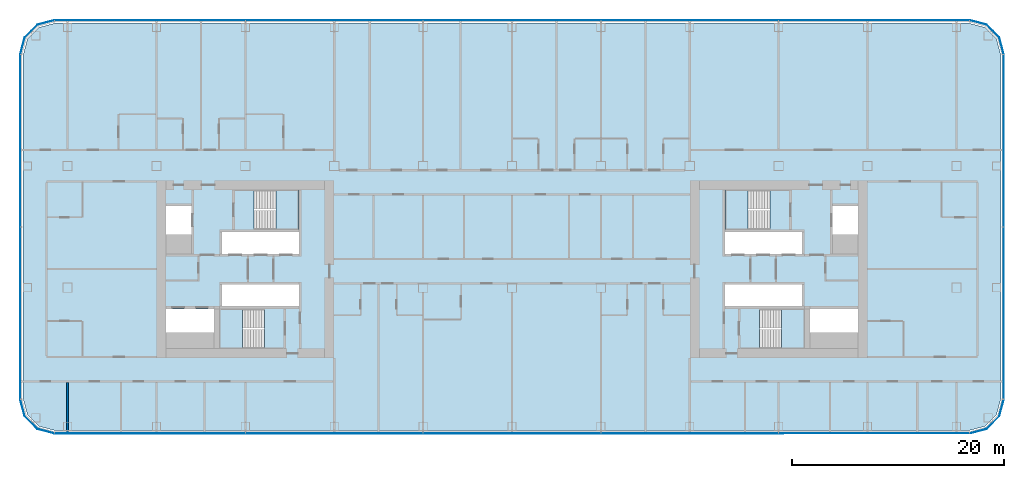
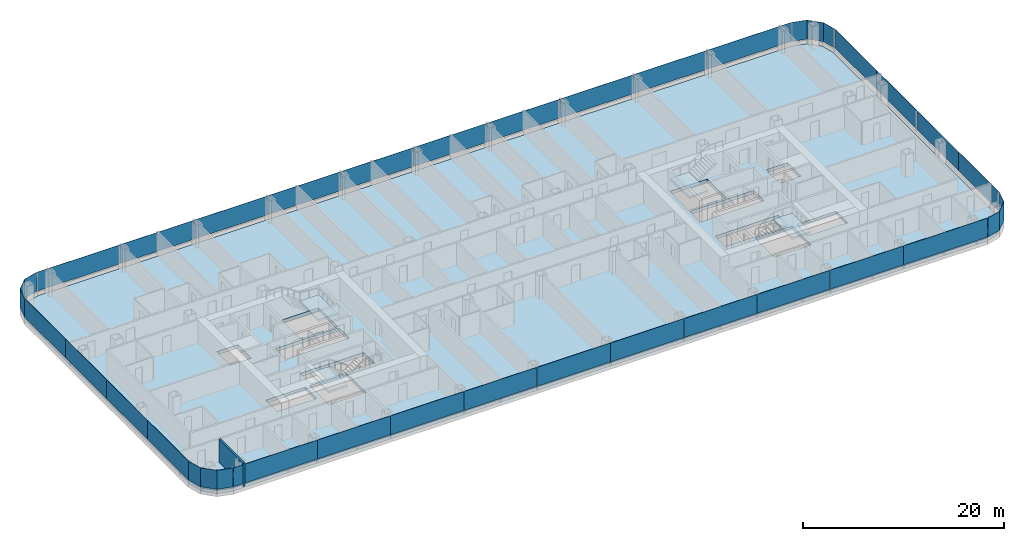
# One storey, part 14 of 29: 32 plates, 5 slabs, 1 wall, 12 elements without a shape of their own.
"""IFC4 building model written with IfcOpenShell, lengths in metres."""

from ifc_helpers import new_model, si_unit, direction, frame, frame_2d, origin, origin_2d, place, context, subcontext, project, spatial, polyline, rectangle, outline, extrude, material, layer, layer_set, type_object, element, aggregate, save


model = new_model("IFC4")

# Units and contexts
model_context = context("Model", 3, precision=1e-05, world=origin(), true_north=direction((0.0, 1.0)))
body_context = subcontext(model_context, "Body", "Model", "MODEL_VIEW")
ifc_project = project(units=[si_unit("LENGTHUNIT", "METRE"), si_unit("AREAUNIT", "SQUARE_METRE"), si_unit("VOLUMEUNIT", "CUBIC_METRE"), si_unit("PLANEANGLEUNIT", "RADIAN"), si_unit("MASSUNIT", "GRAM", prefix="KILO")], contexts=[model_context])

# Site, building, storey
site_placement = place(None, origin())
site = spatial("IfcSite", under=ifc_project, at=site_placement, CompositionType="ELEMENT")
building_placement = place(site_placement, origin())
building = spatial("IfcBuilding", under=site, at=building_placement, Name="Hakoniwa Tower and Hamabe Station Hall", CompositionType="ELEMENT")
storey_placement = place(building_placement, frame((0.0, 0.0, 78.60009765625)))
storey = spatial("IfcBuildingStorey", under=building, at=storey_placement, Name="L21", CompositionType="ELEMENT", Elevation=78.60009765625)

# Stair, slab
ifc_material_1 = material(Name="Concrete C40", Category="concrete")
stair_type = type_object("IfcStairType", Name="ESCAPE STAIR 1800", PredefinedType="HALF_TURN_STAIR", material=ifc_material_1)
stair_1_placement = place(storey_placement, origin())
stair_1 = element("IfcStair", 1, at=stair_1_placement, inside=storey, type_object=stair_type, Name="Escape stair ST-1 L21", PredefinedType="HALF_TURN_STAIR")
ifc_material_2 = material(Name="Concrete C40", Category="concrete")
ifc_layer_1 = layer(ifc_material_2, 0.25)
ifc_layer_set_1 = layer_set([ifc_layer_1], Name="CORE STAIR LANDING 250")
slab_type_1 = type_object("IfcSlabType", Name="CORE STAIR LANDING 250", PredefinedType="LANDING", material=ifc_layer_set_1)
slab_1_placement = place(storey_placement, frame((0.0, 0.0, 1.349853515625)))
slab_1 = element("IfcSlab", 2, at=slab_1_placement, type_object=slab_type_1, Name="ST-1 landing 1", PredefinedType="LANDING", context=body_context, shape_type="SweptSolid", body=[
    extrude(outline(polyline([(-22.320068359375, 3.75), (-20.14990234375, 3.75), (-20.14990234375, 7.5), (-22.320068359375, 7.5), (-22.320068359375, 3.75)])), origin(), (0.0, 0.0, 1.0), 0.25),
])
aggregate(stair_1, [slab_1])

stair_2_placement = place(storey_placement, origin())
stair_2 = element("IfcStair", 3, at=stair_2_placement, inside=storey, type_object=stair_type, Name="Escape stair ST-2 L21", PredefinedType="HALF_TURN_STAIR")
slab_2_placement = place(storey_placement, frame((0.0, 0.0, 1.349853515625)))
slab_2 = element("IfcSlab", 4, at=slab_2_placement, type_object=slab_type_1, Name="ST-2 landing 1", PredefinedType="LANDING", context=body_context, shape_type="SweptSolid", body=[
    extrude(outline(polyline([(-25.47998046875, -7.5), (-27.64990234375, -7.5), (-27.64990234375, -3.75), (-25.47998046875, -3.75), (-25.47998046875, -7.5)])), origin(), (0.0, 0.0, 1.0), 0.25),
])
aggregate(stair_2, [slab_2])

stair_3_placement = place(storey_placement, origin())
stair_3 = element("IfcStair", 5, at=stair_3_placement, inside=storey, type_object=stair_type, Name="Escape stair ST-3 L21", PredefinedType="HALF_TURN_STAIR")
slab_3_placement = place(storey_placement, frame((0.0, 0.0, 1.349853515625)))
slab_3 = element("IfcSlab", 6, at=slab_3_placement, type_object=slab_type_1, Name="ST-3 landing 1", PredefinedType="LANDING", context=body_context, shape_type="SweptSolid", body=[
    extrude(outline(polyline([(22.320068359375, 3.75), (20.14990234375, 3.75), (20.14990234375, 7.5), (22.320068359375, 7.5), (22.320068359375, 3.75)])), origin(), (0.0, 0.0, 1.0), 0.25),
])
aggregate(stair_3, [slab_3])

stair_4_placement = place(storey_placement, origin())
stair_4 = element("IfcStair", 7, at=stair_4_placement, inside=storey, type_object=stair_type, Name="Escape stair ST-4 L21", PredefinedType="HALF_TURN_STAIR")
slab_4_placement = place(storey_placement, frame((0.0, 0.0, 1.349853515625)))
slab_4 = element("IfcSlab", 8, at=slab_4_placement, type_object=slab_type_1, Name="ST-4 landing 1", PredefinedType="LANDING", context=body_context, shape_type="SweptSolid", body=[
    extrude(outline(polyline([(25.47998046875, -7.5), (27.64990234375, -7.5), (27.64990234375, -3.75), (25.47998046875, -3.75), (25.47998046875, -7.5)])), origin(), (0.0, 0.0, 1.0), 0.25),
])
aggregate(stair_4, [slab_4])

# Curtain wall, plates
ifc_material_3 = material(Name="Dark low-e laminated glass", Category="glass")
ifc_layer_2 = layer(ifc_material_3, 0.199951171875)
ifc_layer_set_2 = layer_set([ifc_layer_2], Name="CW-1 UNITISED GUEST")
curtain_wall_type = type_object("IfcCurtainWallType", Name="CW-1 UNITISED GUEST", PredefinedType="NOTDEFINED", material=ifc_layer_set_2)
curtain_wall_1_placement = place(storey_placement, origin())
curtain_wall_1 = element("IfcCurtainWall", 9, at=curtain_wall_1_placement, inside=storey, type_object=curtain_wall_type, Name="CW-1 curtain wall", PredefinedType="NOTDEFINED")
ifc_material_4 = material(Name="Dark low-e laminated glass", Category="glass")
ifc_layer_3 = layer(ifc_material_4, 0.028076171875)
ifc_layer_set_3 = layer_set([ifc_layer_3], Name="CW-1 GLASS UNIT")
plate_type = type_object("IfcPlateType", Name="CW-1 GLASS UNIT", PredefinedType="CURTAIN_PANEL", material=ifc_layer_set_3)
plate_1_placement = place(storey_placement, frame((46.486083984375, -8.217041015625, 0.35009765625), z_axis=(0.0, 0.0, 1.0), x_axis=(0.0, 1.0, 0.0)))
plate_1 = element("IfcPlate", 10, at=plate_1_placement, type_object=plate_type, Name="CW-1 glass unit", PredefinedType="CURTAIN_PANEL", context=body_context, shape_type="SweptSolid", body=[
    extrude(rectangle(XDim=8.124755859375, YDim=0.028076171875, at=origin_2d()), origin(), (0.0, 0.0, 1.0), 2.300048828125),
])
plate_2_placement = place(storey_placement, frame((46.486083984375, -0.072265625, 0.35009765625), z_axis=(0.0, 0.0, 1.0), x_axis=(0.0, 1.0, 0.0)))
plate_2 = element("IfcPlate", 11, at=plate_2_placement, type_object=plate_type, Name="CW-1 glass unit", PredefinedType="CURTAIN_PANEL", context=body_context, shape_type="SweptSolid", body=[
    extrude(rectangle(XDim=8.124755859375, YDim=0.028076171875, at=origin_2d()), origin(), (0.0, 0.0, 1.0), 2.300048828125),
])
plate_3_placement = place(storey_placement, frame((46.486083984375, 8.072265625, 0.35009765625), z_axis=(0.0, 0.0, 1.0), x_axis=(0.0, 1.0, 0.0)))
plate_3 = element("IfcPlate", 12, at=plate_3_placement, type_object=plate_type, Name="CW-1 glass unit", PredefinedType="CURTAIN_PANEL", context=body_context, shape_type="SweptSolid", body=[
    extrude(rectangle(XDim=8.124755859375, YDim=0.028076171875, at=origin_2d()), origin(), (0.0, 0.0, 1.0), 2.300048828125),
])
plate_4_placement = place(storey_placement, frame((46.486083984375, 16.217041015625, 0.35009765625), z_axis=(0.0, 0.0, 1.0), x_axis=(0.0, 1.0, 0.0)))
plate_4 = element("IfcPlate", 13, at=plate_4_placement, type_object=plate_type, Name="CW-1 glass unit", PredefinedType="CURTAIN_PANEL", context=body_context, shape_type="SweptSolid", body=[
    extrude(rectangle(XDim=8.124755859375, YDim=0.028076171875, at=origin_2d()), origin(), (0.0, 0.0, 1.0), 2.300048828125),
])
aggregate(curtain_wall_1, [plate_1, plate_2, plate_3, plate_4])

# Curtain wall, plate
curtain_wall_2_placement = place(storey_placement, origin())
curtain_wall_2 = element("IfcCurtainWall", 14, at=curtain_wall_2_placement, inside=storey, type_object=curtain_wall_type, Name="CW-1 curtain wall", PredefinedType="NOTDEFINED")
plate_5_placement = place(storey_placement, frame((0.0, 0.0, 0.349853515625)))
plate_5 = element("IfcPlate", 15, at=plate_5_placement, type_object=plate_type, Name="CW-1 curved corner unit", PredefinedType="CURTAIN_PANEL", context=body_context, shape_type="SweptSolid", body=[
    extrude(outline(polyline([(46.48974609375, 20.328125), (46.067138671875, 21.9052734375), (44.855224609375, 23.116943359375), (43.278076171875, 23.53955078125), (43.27099609375, 23.5126953125), (44.8408203125, 23.092041015625), (46.0419921875, 21.890869140625), (46.462646484375, 20.32080078125), (46.48974609375, 20.328125)])), origin(), (0.0, 0.0, 1.0), 2.300048828125),
])
aggregate(curtain_wall_2, [plate_5])

# Curtain wall, plates
curtain_wall_3_placement = place(storey_placement, origin())
curtain_wall_3 = element("IfcCurtainWall", 16, at=curtain_wall_3_placement, inside=storey, type_object=curtain_wall_type, Name="CW-1 curtain wall", PredefinedType="NOTDEFINED")
plate_6_placement = place(storey_placement, frame((38.419677734375, 23.535888671875, 0.35009765625), z_axis=(0.0, 0.0, 1.0), x_axis=(-1.0, 0.0, 0.0)))
plate_6 = element("IfcPlate", 17, at=plate_6_placement, type_object=plate_type, Name="CW-1 glass unit", PredefinedType="CURTAIN_PANEL", context=body_context, shape_type="SweptSolid", body=[
    extrude(rectangle(XDim=9.619384765625, YDim=0.028076171875, at=origin_2d()), origin(), (0.0, 0.0, 1.0), 2.300048828125),
])
plate_7_placement = place(storey_placement, frame((29.39990234375, 23.535888671875, 0.35009765625), z_axis=(0.0, 0.0, 1.0), x_axis=(-1.0, 0.0, 0.0)))
plate_7 = element("IfcPlate", 18, at=plate_7_placement, type_object=plate_type, Name="CW-1 glass unit", PredefinedType="CURTAIN_PANEL", context=body_context, shape_type="SweptSolid", body=[
    extrude(rectangle(XDim=8.3798828125, YDim=0.028076171875, at=origin_2d()), origin(), (0.0, 0.0, 1.0), 2.300048828125),
])
plate_8_placement = place(storey_placement, frame((21.0, 23.535888671875, 0.35009765625), z_axis=(0.0, 0.0, 1.0), x_axis=(-1.0, 0.0, 0.0)))
plate_8 = element("IfcPlate", 19, at=plate_8_placement, type_object=plate_type, Name="CW-1 glass unit", PredefinedType="CURTAIN_PANEL", context=body_context, shape_type="SweptSolid", body=[
    extrude(rectangle(XDim=8.3798828125, YDim=0.028076171875, at=origin_2d()), origin(), (0.0, 0.0, 1.0), 2.300048828125),
])
plate_9_placement = place(storey_placement, frame((12.60009765625, 23.535888671875, 0.35009765625), z_axis=(0.0, 0.0, 1.0), x_axis=(-1.0, 0.0, 0.0)))
plate_9 = element("IfcPlate", 20, at=plate_9_placement, type_object=plate_type, Name="CW-1 glass unit", PredefinedType="CURTAIN_PANEL", context=body_context, shape_type="SweptSolid", body=[
    extrude(rectangle(XDim=8.3798828125, YDim=0.028076171875, at=origin_2d()), origin(), (0.0, 0.0, 1.0), 2.300048828125),
])
plate_10_placement = place(storey_placement, frame((4.199951171875, 23.535888671875, 0.35009765625), z_axis=(0.0, 0.0, 1.0), x_axis=(-1.0, 0.0, 0.0)))
plate_10 = element("IfcPlate", 21, at=plate_10_placement, type_object=plate_type, Name="CW-1 glass unit", PredefinedType="CURTAIN_PANEL", context=body_context, shape_type="SweptSolid", body=[
    extrude(rectangle(XDim=8.3798828125, YDim=0.028076171875, at=origin_2d()), origin(), (0.0, 0.0, 1.0), 2.300048828125),
])
plate_11_placement = place(storey_placement, frame((-4.199951171875, 23.535888671875, 0.35009765625), z_axis=(0.0, 0.0, 1.0), x_axis=(-1.0, 0.0, 0.0)))
plate_11 = element("IfcPlate", 22, at=plate_11_placement, type_object=plate_type, Name="CW-1 glass unit", PredefinedType="CURTAIN_PANEL", context=body_context, shape_type="SweptSolid", body=[
    extrude(rectangle(XDim=8.3798828125, YDim=0.028076171875, at=origin_2d()), origin(), (0.0, 0.0, 1.0), 2.300048828125),
])
plate_12_placement = place(storey_placement, frame((-12.60009765625, 23.535888671875, 0.35009765625), z_axis=(0.0, 0.0, 1.0), x_axis=(-1.0, 0.0, 0.0)))
plate_12 = element("IfcPlate", 23, at=plate_12_placement, type_object=plate_type, Name="CW-1 glass unit", PredefinedType="CURTAIN_PANEL", context=body_context, shape_type="SweptSolid", body=[
    extrude(rectangle(XDim=8.3798828125, YDim=0.028076171875, at=origin_2d()), origin(), (0.0, 0.0, 1.0), 2.300048828125),
])
plate_13_placement = place(storey_placement, frame((-21.0, 23.535888671875, 0.35009765625), z_axis=(0.0, 0.0, 1.0), x_axis=(-1.0, 0.0, 0.0)))
plate_13 = element("IfcPlate", 24, at=plate_13_placement, type_object=plate_type, Name="CW-1 glass unit", PredefinedType="CURTAIN_PANEL", context=body_context, shape_type="SweptSolid", body=[
    extrude(rectangle(XDim=8.3798828125, YDim=0.028076171875, at=origin_2d()), origin(), (0.0, 0.0, 1.0), 2.300048828125),
])
plate_14_placement = place(storey_placement, frame((-29.39990234375, 23.535888671875, 0.35009765625), z_axis=(0.0, 0.0, 1.0), x_axis=(-1.0, 0.0, 0.0)))
plate_14 = element("IfcPlate", 25, at=plate_14_placement, type_object=plate_type, Name="CW-1 glass unit", PredefinedType="CURTAIN_PANEL", context=body_context, shape_type="SweptSolid", body=[
    extrude(rectangle(XDim=8.3798828125, YDim=0.028076171875, at=origin_2d()), origin(), (0.0, 0.0, 1.0), 2.300048828125),
])
plate_15_placement = place(storey_placement, frame((-38.419677734375, 23.535888671875, 0.35009765625), z_axis=(0.0, 0.0, 1.0), x_axis=(-1.0, 0.0, 0.0)))
plate_15 = element("IfcPlate", 26, at=plate_15_placement, type_object=plate_type, Name="CW-1 glass unit", PredefinedType="CURTAIN_PANEL", context=body_context, shape_type="SweptSolid", body=[
    extrude(rectangle(XDim=9.619384765625, YDim=0.028076171875, at=origin_2d()), origin(), (0.0, 0.0, 1.0), 2.300048828125),
])
aggregate(curtain_wall_3, [plate_6, plate_7, plate_8, plate_9, plate_10, plate_11, plate_12, plate_13, plate_14, plate_15])

# Curtain wall, plate
curtain_wall_4_placement = place(storey_placement, origin())
curtain_wall_4 = element("IfcCurtainWall", 27, at=curtain_wall_4_placement, inside=storey, type_object=curtain_wall_type, Name="CW-1 curtain wall", PredefinedType="NOTDEFINED")
plate_16_placement = place(storey_placement, frame((0.0, 0.0, 0.349853515625)))
plate_16 = element("IfcPlate", 28, at=plate_16_placement, type_object=plate_type, Name="CW-1 curved corner unit", PredefinedType="CURTAIN_PANEL", context=body_context, shape_type="SweptSolid", body=[
    extrude(outline(polyline([(-43.278076171875, 23.53955078125), (-44.855224609375, 23.116943359375), (-46.067138671875, 21.9052734375), (-46.48974609375, 20.328125), (-46.462646484375, 20.32080078125), (-46.0419921875, 21.890869140625), (-44.8408203125, 23.092041015625), (-43.27099609375, 23.5126953125), (-43.278076171875, 23.53955078125)])), origin(), (0.0, 0.0, 1.0), 2.300048828125),
])
aggregate(curtain_wall_4, [plate_16])

# Curtain wall, plates
curtain_wall_5_placement = place(storey_placement, origin())
curtain_wall_5 = element("IfcCurtainWall", 29, at=curtain_wall_5_placement, inside=storey, type_object=curtain_wall_type, Name="CW-1 curtain wall", PredefinedType="NOTDEFINED")
plate_17_placement = place(storey_placement, frame((-46.486083984375, 16.217041015625, 0.35009765625), z_axis=(0.0, 0.0, 1.0), x_axis=(0.0, -1.0, 0.0)))
plate_17 = element("IfcPlate", 30, at=plate_17_placement, type_object=plate_type, Name="CW-1 glass unit", PredefinedType="CURTAIN_PANEL", context=body_context, shape_type="SweptSolid", body=[
    extrude(rectangle(XDim=8.124755859375, YDim=0.028076171875, at=origin_2d()), origin(), (0.0, 0.0, 1.0), 2.300048828125),
])
plate_18_placement = place(storey_placement, frame((-46.486083984375, 8.072265625, 0.35009765625), z_axis=(0.0, 0.0, 1.0), x_axis=(0.0, -1.0, 0.0)))
plate_18 = element("IfcPlate", 31, at=plate_18_placement, type_object=plate_type, Name="CW-1 glass unit", PredefinedType="CURTAIN_PANEL", context=body_context, shape_type="SweptSolid", body=[
    extrude(rectangle(XDim=8.124755859375, YDim=0.028076171875, at=origin_2d()), origin(), (0.0, 0.0, 1.0), 2.300048828125),
])
plate_19_placement = place(storey_placement, frame((-46.486083984375, -0.072265625, 0.35009765625), z_axis=(0.0, 0.0, 1.0), x_axis=(0.0, -1.0, 0.0)))
plate_19 = element("IfcPlate", 32, at=plate_19_placement, type_object=plate_type, Name="CW-1 glass unit", PredefinedType="CURTAIN_PANEL", context=body_context, shape_type="SweptSolid", body=[
    extrude(rectangle(XDim=8.124755859375, YDim=0.028076171875, at=origin_2d()), origin(), (0.0, 0.0, 1.0), 2.300048828125),
])
plate_20_placement = place(storey_placement, frame((-46.486083984375, -8.217041015625, 0.35009765625), z_axis=(0.0, 0.0, 1.0), x_axis=(0.0, -1.0, 0.0)))
plate_20 = element("IfcPlate", 33, at=plate_20_placement, type_object=plate_type, Name="CW-1 glass unit", PredefinedType="CURTAIN_PANEL", context=body_context, shape_type="SweptSolid", body=[
    extrude(rectangle(XDim=8.124755859375, YDim=0.028076171875, at=origin_2d()), origin(), (0.0, 0.0, 1.0), 2.300048828125),
])
aggregate(curtain_wall_5, [plate_17, plate_18, plate_19, plate_20])

# Curtain wall, plate
curtain_wall_6_placement = place(storey_placement, origin())
curtain_wall_6 = element("IfcCurtainWall", 34, at=curtain_wall_6_placement, inside=storey, type_object=curtain_wall_type, Name="CW-1 curtain wall", PredefinedType="NOTDEFINED")
plate_21_placement = place(storey_placement, frame((0.0, 0.0, 0.349853515625)))
plate_21 = element("IfcPlate", 35, at=plate_21_placement, type_object=plate_type, Name="CW-1 curved corner unit", PredefinedType="CURTAIN_PANEL", context=body_context, shape_type="SweptSolid", body=[
    extrude(outline(polyline([(-46.48974609375, -12.328125), (-46.067138671875, -13.9052734375), (-44.855224609375, -15.116943359375), (-43.278076171875, -15.53955078125), (-43.27099609375, -15.5126953125), (-44.8408203125, -15.092041015625), (-46.0419921875, -13.890869140625), (-46.462646484375, -12.32080078125), (-46.48974609375, -12.328125)])), origin(), (0.0, 0.0, 1.0), 2.300048828125),
])
aggregate(curtain_wall_6, [plate_21])

# Curtain wall, plates
curtain_wall_7_placement = place(storey_placement, origin())
curtain_wall_7 = element("IfcCurtainWall", 36, at=curtain_wall_7_placement, inside=storey, type_object=curtain_wall_type, Name="CW-1 curtain wall", PredefinedType="NOTDEFINED")
plate_22_placement = place(storey_placement, frame((-38.419677734375, -15.535888671875, 0.35009765625), z_axis=(0.0, 0.0, 1.0), x_axis=(1.0, 0.0, 0.0)))
plate_22 = element("IfcPlate", 37, at=plate_22_placement, type_object=plate_type, Name="CW-1 glass unit", PredefinedType="CURTAIN_PANEL", context=body_context, shape_type="SweptSolid", body=[
    extrude(rectangle(XDim=9.619384765625, YDim=0.028076171875, at=origin_2d()), origin(), (0.0, 0.0, 1.0), 2.300048828125),
])
plate_23_placement = place(storey_placement, frame((-29.39990234375, -15.535888671875, 0.35009765625), z_axis=(0.0, 0.0, 1.0), x_axis=(1.0, 0.0, 0.0)))
plate_23 = element("IfcPlate", 38, at=plate_23_placement, type_object=plate_type, Name="CW-1 glass unit", PredefinedType="CURTAIN_PANEL", context=body_context, shape_type="SweptSolid", body=[
    extrude(rectangle(XDim=8.3798828125, YDim=0.028076171875, at=origin_2d()), origin(), (0.0, 0.0, 1.0), 2.300048828125),
])
plate_24_placement = place(storey_placement, frame((-21.0, -15.535888671875, 0.35009765625), z_axis=(0.0, 0.0, 1.0), x_axis=(1.0, 0.0, 0.0)))
plate_24 = element("IfcPlate", 39, at=plate_24_placement, type_object=plate_type, Name="CW-1 glass unit", PredefinedType="CURTAIN_PANEL", context=body_context, shape_type="SweptSolid", body=[
    extrude(rectangle(XDim=8.3798828125, YDim=0.028076171875, at=origin_2d()), origin(), (0.0, 0.0, 1.0), 2.300048828125),
])
plate_25_placement = place(storey_placement, frame((-12.60009765625, -15.535888671875, 0.35009765625), z_axis=(0.0, 0.0, 1.0), x_axis=(1.0, 0.0, 0.0)))
plate_25 = element("IfcPlate", 40, at=plate_25_placement, type_object=plate_type, Name="CW-1 glass unit", PredefinedType="CURTAIN_PANEL", context=body_context, shape_type="SweptSolid", body=[
    extrude(rectangle(XDim=8.3798828125, YDim=0.028076171875, at=origin_2d()), origin(), (0.0, 0.0, 1.0), 2.300048828125),
])
plate_26_placement = place(storey_placement, frame((-4.199951171875, -15.535888671875, 0.35009765625), z_axis=(0.0, 0.0, 1.0), x_axis=(1.0, 0.0, 0.0)))
plate_26 = element("IfcPlate", 41, at=plate_26_placement, type_object=plate_type, Name="CW-1 glass unit", PredefinedType="CURTAIN_PANEL", context=body_context, shape_type="SweptSolid", body=[
    extrude(rectangle(XDim=8.3798828125, YDim=0.028076171875, at=origin_2d()), origin(), (0.0, 0.0, 1.0), 2.300048828125),
])
plate_27_placement = place(storey_placement, frame((4.199951171875, -15.535888671875, 0.35009765625), z_axis=(0.0, 0.0, 1.0), x_axis=(1.0, 0.0, 0.0)))
plate_27 = element("IfcPlate", 42, at=plate_27_placement, type_object=plate_type, Name="CW-1 glass unit", PredefinedType="CURTAIN_PANEL", context=body_context, shape_type="SweptSolid", body=[
    extrude(rectangle(XDim=8.3798828125, YDim=0.028076171875, at=origin_2d()), origin(), (0.0, 0.0, 1.0), 2.300048828125),
])
plate_28_placement = place(storey_placement, frame((12.60009765625, -15.535888671875, 0.35009765625), z_axis=(0.0, 0.0, 1.0), x_axis=(1.0, 0.0, 0.0)))
plate_28 = element("IfcPlate", 43, at=plate_28_placement, type_object=plate_type, Name="CW-1 glass unit", PredefinedType="CURTAIN_PANEL", context=body_context, shape_type="SweptSolid", body=[
    extrude(rectangle(XDim=8.3798828125, YDim=0.028076171875, at=origin_2d()), origin(), (0.0, 0.0, 1.0), 2.300048828125),
])
plate_29_placement = place(storey_placement, frame((21.0, -15.535888671875, 0.35009765625), z_axis=(0.0, 0.0, 1.0), x_axis=(1.0, 0.0, 0.0)))
plate_29 = element("IfcPlate", 44, at=plate_29_placement, type_object=plate_type, Name="CW-1 glass unit", PredefinedType="CURTAIN_PANEL", context=body_context, shape_type="SweptSolid", body=[
    extrude(rectangle(XDim=8.3798828125, YDim=0.028076171875, at=origin_2d()), origin(), (0.0, 0.0, 1.0), 2.300048828125),
])
plate_30_placement = place(storey_placement, frame((29.39990234375, -15.535888671875, 0.35009765625), z_axis=(0.0, 0.0, 1.0), x_axis=(1.0, 0.0, 0.0)))
plate_30 = element("IfcPlate", 45, at=plate_30_placement, type_object=plate_type, Name="CW-1 glass unit", PredefinedType="CURTAIN_PANEL", context=body_context, shape_type="SweptSolid", body=[
    extrude(rectangle(XDim=8.3798828125, YDim=0.028076171875, at=origin_2d()), origin(), (0.0, 0.0, 1.0), 2.300048828125),
])
plate_31_placement = place(storey_placement, frame((38.419677734375, -15.535888671875, 0.35009765625), z_axis=(0.0, 0.0, 1.0), x_axis=(1.0, 0.0, 0.0)))
plate_31 = element("IfcPlate", 46, at=plate_31_placement, type_object=plate_type, Name="CW-1 glass unit", PredefinedType="CURTAIN_PANEL", context=body_context, shape_type="SweptSolid", body=[
    extrude(rectangle(XDim=9.619384765625, YDim=0.028076171875, at=origin_2d()), origin(), (0.0, 0.0, 1.0), 2.300048828125),
])
aggregate(curtain_wall_7, [plate_22, plate_23, plate_24, plate_25, plate_26, plate_27, plate_28, plate_29, plate_30, plate_31])

# Curtain wall, plate
curtain_wall_8_placement = place(storey_placement, origin())
curtain_wall_8 = element("IfcCurtainWall", 47, at=curtain_wall_8_placement, inside=storey, type_object=curtain_wall_type, Name="CW-1 curtain wall", PredefinedType="NOTDEFINED")
plate_32_placement = place(storey_placement, frame((0.0, 0.0, 0.349853515625)))
plate_32 = element("IfcPlate", 48, at=plate_32_placement, type_object=plate_type, Name="CW-1 curved corner unit", PredefinedType="CURTAIN_PANEL", context=body_context, shape_type="SweptSolid", body=[
    extrude(outline(polyline([(43.278076171875, -15.53955078125), (44.855224609375, -15.116943359375), (46.067138671875, -13.9052734375), (46.48974609375, -12.328125), (46.462646484375, -12.32080078125), (46.0419921875, -13.890869140625), (44.8408203125, -15.092041015625), (43.27099609375, -15.5126953125), (43.278076171875, -15.53955078125)])), origin(), (0.0, 0.0, 1.0), 2.300048828125),
])
aggregate(curtain_wall_8, [plate_32])

# Slab
ifc_material_5 = material(Name="Concrete C42", Category="concrete")
ifc_layer_4 = layer(ifc_material_5, 0.39990234375)
ifc_layer_set_4 = layer_set([ifc_layer_4], Name="PT FLAT PLATE 400")
slab_type_2 = type_object("IfcSlabType", Name="PT FLAT PLATE 400", PredefinedType="FLOOR", material=ifc_layer_set_4)
slab_5_placement = place(storey_placement, frame((0.0, 0.0, -0.400146484375)))
element("IfcSlab", 49, at=slab_5_placement, inside=storey, type_object=slab_type_2, Name="Floor slab L21", PredefinedType="FLOOR", context=body_context, shape_type="SweptSolid", body=[
    extrude(outline(polyline([(46.199951171875, -12.25), (46.199951171875, 20.25), (45.798095703125, 21.75), (44.699951171875, 22.84814453125), (43.199951171875, 23.25), (-43.199951171875, 23.25), (-44.699951171875, 22.84814453125), (-45.798095703125, 21.75), (-46.199951171875, 20.25), (-46.199951171875, -12.25), (-45.798095703125, -13.75), (-44.699951171875, -14.84814453125), (-43.199951171875, -15.25), (43.199951171875, -15.25), (44.699951171875, -14.84814453125), (45.798095703125, -13.75), (46.199951171875, -12.25)]), holes=[polyline([(-27.39990234375, 1.449951171875), (-27.39990234375, 3.5), (-20.14990234375, 3.5), (-20.14990234375, 1.449951171875), (-27.39990234375, 1.449951171875)]), polyline([(-27.39990234375, -3.5), (-27.39990234375, -1.449951171875), (-20.14990234375, -1.449951171875), (-20.14990234375, -3.5), (-27.39990234375, -3.5)]), polyline([(-32.699951171875, 3.300048828125), (-32.699951171875, 5.949951171875), (-30.300048828125, 5.949951171875), (-30.300048828125, 3.300048828125), (-32.699951171875, 3.300048828125)]), polyline([(-32.699951171875, -6.0), (-32.699951171875, -3.75), (-28.14990234375, -3.75), (-28.14990234375, -6.0), (-32.699951171875, -6.0)]), polyline([(-24.389892578125, 3.75), (-24.389892578125, 7.5), (-20.14990234375, 7.5), (-20.14990234375, 3.75), (-24.389892578125, 3.75)]), polyline([(-27.64990234375, -7.5), (-27.64990234375, -3.75), (-23.409912109375, -3.75), (-23.409912109375, -7.5), (-27.64990234375, -7.5)]), polyline([(20.14990234375, 1.449951171875), (20.14990234375, 3.5), (27.39990234375, 3.5), (27.39990234375, 1.449951171875), (20.14990234375, 1.449951171875)]), polyline([(20.14990234375, -3.5), (20.14990234375, -1.449951171875), (27.39990234375, -1.449951171875), (27.39990234375, -3.5), (20.14990234375, -3.5)]), polyline([(30.300048828125, 3.300048828125), (30.300048828125, 5.949951171875), (32.699951171875, 5.949951171875), (32.699951171875, 3.300048828125), (30.300048828125, 3.300048828125)]), polyline([(28.14990234375, -6.0), (28.14990234375, -3.75), (32.699951171875, -3.75), (32.699951171875, -6.0), (28.14990234375, -6.0)]), polyline([(20.14990234375, 3.75), (20.14990234375, 7.5), (24.389892578125, 7.5), (24.389892578125, 3.75), (20.14990234375, 3.75)]), polyline([(23.409912109375, -7.5), (23.409912109375, -3.75), (27.64990234375, -3.75), (27.64990234375, -7.5), (23.409912109375, -7.5)])]), origin(), (0.0, 0.0, 1.0), 0.400146484375),
])

# Wall
ifc_material_6 = material(Name="Fire-rated gypsum board partition", Category="gypsum")
ifc_layer_5 = layer(ifc_material_6, 0.199951171875)
ifc_layer_set_5 = layer_set([ifc_layer_5], Name="Party Wall 200")
wall_type = type_object("IfcWallType", Name="Party Wall 200", PredefinedType="PARTITIONING", material=ifc_layer_set_5)
wall_placement = place(storey_placement, frame((-42.0, -15.550048828125, 0.0), z_axis=(0.0, 0.0, 1.0), x_axis=(0.0, 1.0, 0.0)))
element("IfcWall", 50, at=wall_placement, inside=storey, type_object=wall_type, Name="GW-L21-032", PredefinedType="PARTITIONING", context=body_context, shape_type="SweptSolid", body=[
    extrude(rectangle(XDim=4.85009765625, YDim=0.199951171875, at=frame_2d((2.425048828125, 0.0))), origin(), (0.0, 0.0, 1.0), 2.7998046875),
])

save(model, "model.ifc")
